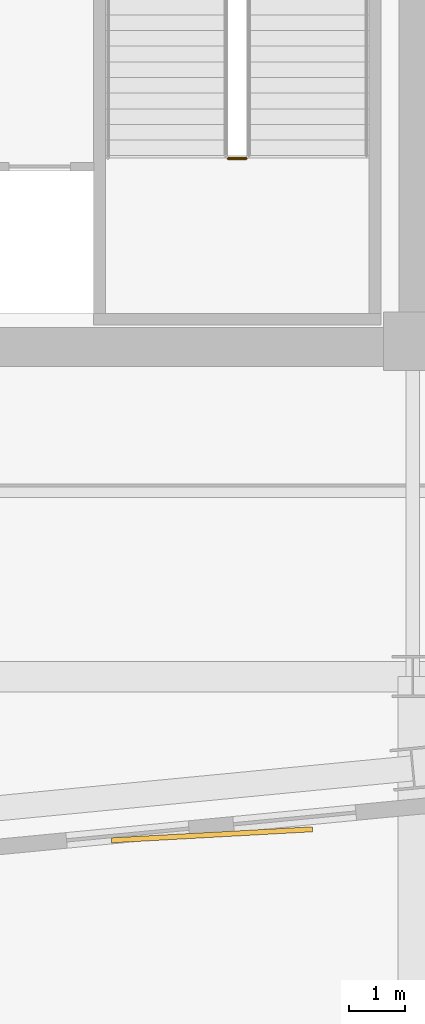
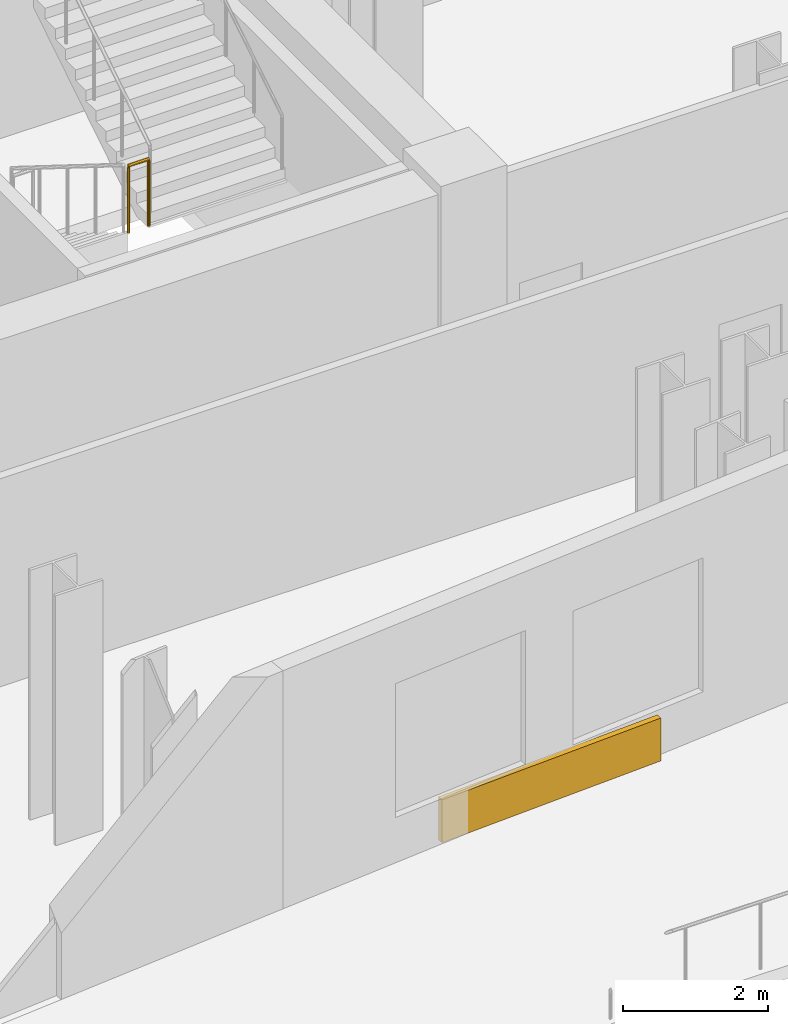
# One storey, part 11 of 14: 1 covering, 1 railing.
"""IFC4 building model written with IfcOpenShell, lengths in metres."""

from ifc_helpers import new_model, si_unit, direction, frame, origin, origin_2d, place, context, subcontext, project, spatial, rectangle, circle, extrude, material, layer, layer_set, type_object, element, save


model = new_model("IFC4")

# Units and contexts
model_context = context("Model", 3, precision=1e-05, world=origin(), true_north=direction((0.0, 1.0)))
body_context = subcontext(model_context, "Body", "Model", "MODEL_VIEW")
ifc_project = project(units=[si_unit("LENGTHUNIT", "METRE"), si_unit("AREAUNIT", "SQUARE_METRE"), si_unit("VOLUMEUNIT", "CUBIC_METRE"), si_unit("PLANEANGLEUNIT", "RADIAN"), si_unit("MASSUNIT", "GRAM", prefix="KILO")], contexts=[model_context])

# Site, building, storey
site_placement = place(None, origin())
site = spatial("IfcSite", under=ifc_project, at=site_placement, CompositionType="ELEMENT")
building_placement = place(site_placement, origin())
building = spatial("IfcBuilding", under=site, at=building_placement, Name="Velakula Bourse", CompositionType="ELEMENT")
storey_placement = place(building_placement, frame((0.0, 0.0, 70.0)))
storey = spatial("IfcBuildingStorey", under=building, at=storey_placement, Name="L18", CompositionType="ELEMENT", Elevation=70.0)

# Covering
ifc_material_1 = material(Name="Buff kilned clay facing brick masonry", Category="masonry")
ifc_layer = layer(ifc_material_1, 0.074951171875, Name="Buff kilned clay facing brick masonry", Category="masonry")
ifc_layer_set = layer_set([ifc_layer], Name="Buff kilned clay facing brick masonry")
covering_type = type_object("IfcCoveringType", Name="COV-BRK-SPN-75", PredefinedType="CLADDING", material=ifc_layer_set)
covering_placement = place(storey_placement, frame((15.0087890625, -17.428955078125, 0.0), z_axis=(0.0, 0.0, 1.0), x_axis=(0.998489097451, 0.054950179912, 0.0)))
element("IfcCovering", 1, at=covering_placement, inside=storey, type_object=covering_type, Name="L18 Folded Brick Facade Cladding Panel S-B4", PredefinedType="CLADDING", context=body_context, shape_type="SweptSolid", body=[
    extrude(rectangle(XDim=3.60009765625, YDim=0.090087890625, at=origin_2d()), origin(), (0.0, 0.0, 1.0), 0.719970703125),
])

# Railing
ifc_material_2 = material(Name="Brushed grade 316 stainless steel", Category="steel")
railing_type = type_object("IfcRailingType", Name="RLG-STAIR-GUARD-1150", PredefinedType="BALUSTRADE", material=ifc_material_2)
railing_placement = place(storey_placement, frame((15.298095703125, -5.330078125, 2.10009765625)))
element("IfcRailing", 2, at=railing_placement, inside=storey, type_object=railing_type, Name="L18 ST-E1 stair guard 2", PredefinedType="BALUSTRADE", context=body_context, shape_type="SweptSolid", body=[
    extrude(circle(Radius=0.02490234375, at=origin_2d()), frame((0.0, 0.0, 1.125), z_axis=(1.0, 0.0, 0.0), x_axis=(0.0, 1.0, 0.0)), (0.0, 0.0, 1.0), 0.323974609375),
    extrude(circle(Radius=0.02099609375, at=origin_2d()), origin(), (0.0, 0.0, 1.0), 1.099853515625),
    extrude(circle(Radius=0.02099609375, at=origin_2d()), frame((0.323974609375, 0.0, 0.0)), (0.0, 0.0, 1.0), 1.099853515625),
])

save(model, "model.ifc")
